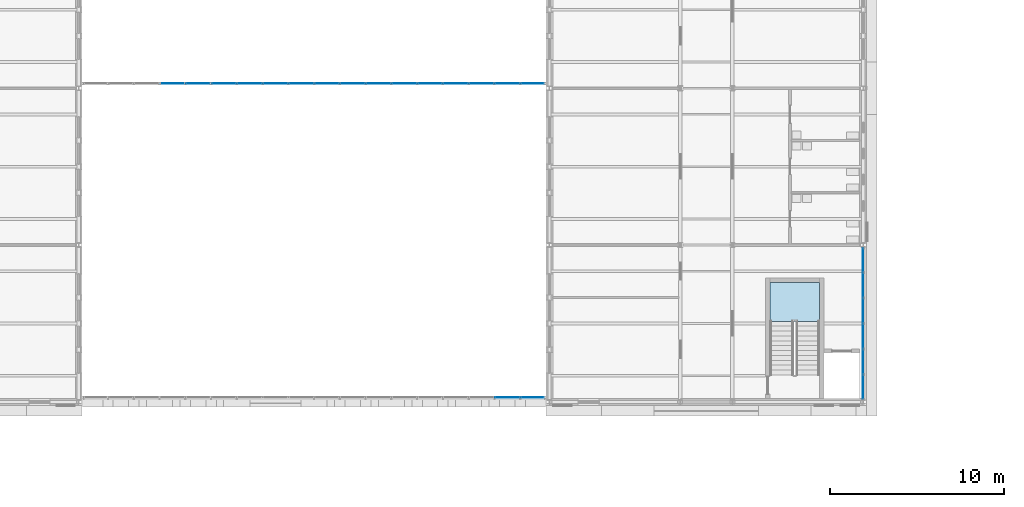
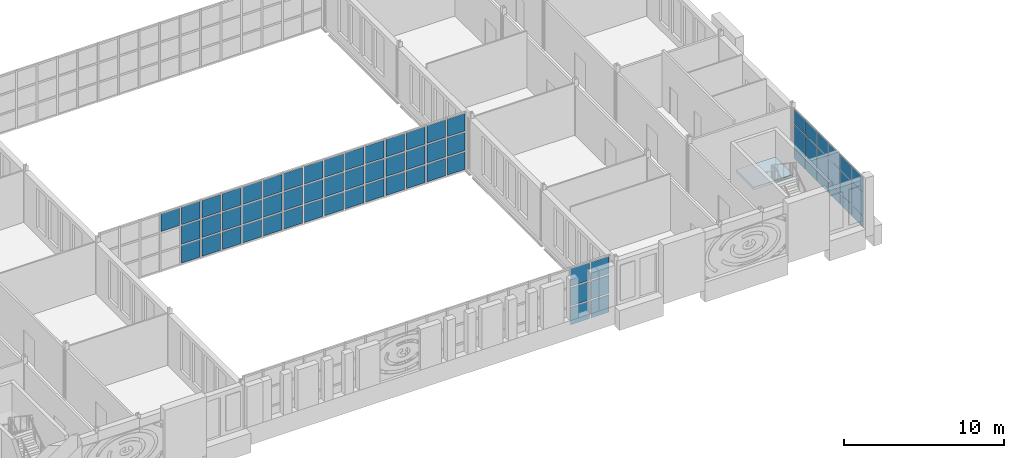
# One storey, part 62 of 131: 67 plates, 1 slab, 4 elements without a shape of their own.
"""IFC4 building model written with IfcOpenShell, lengths in metres."""

from ifc_helpers import new_model, si_unit, direction, frame, origin, origin_2d, place, context, subcontext, project, spatial, polyline, rectangle, outline, extrude, material, layer, layer_set, type_object, element, aggregate, save


model = new_model("IFC4")

# Units and contexts
model_context = context("Model", 3, precision=1e-05, world=origin(), true_north=direction((0.0, 1.0)))
body_context = subcontext(model_context, "Body", "Model", "MODEL_VIEW")
ifc_project = project(units=[si_unit("LENGTHUNIT", "METRE"), si_unit("AREAUNIT", "SQUARE_METRE"), si_unit("VOLUMEUNIT", "CUBIC_METRE"), si_unit("PLANEANGLEUNIT", "RADIAN"), si_unit("MASSUNIT", "GRAM", prefix="KILO")], contexts=[model_context])

# Site, building, storey
site_placement = place(None, origin())
site = spatial("IfcSite", under=ifc_project, at=site_placement, CompositionType="ELEMENT")
building_placement = place(site_placement, origin())
building = spatial("IfcBuilding", under=site, at=building_placement, Name="Golden Quay Civic Hall", CompositionType="ELEMENT")
storey_placement = place(building_placement, frame((0.0, 0.0, 9.89990234375)))
storey = spatial("IfcBuildingStorey", under=building, at=storey_placement, Name="L02", CompositionType="ELEMENT", Elevation=9.89990234375)

# Stair, slab
ifc_material_1 = material(Name="Concrete C35/45", Category="concrete")
stair_type = type_object("IfcStairType", Name="Concrete stair 1350 wide 24 risers of 187.5", PredefinedType="HALF_TURN_STAIR", material=ifc_material_1)
stair_placement = place(storey_placement, origin())
stair = element("IfcStair", 1, at=stair_placement, inside=storey, type_object=stair_type, Name="L02 Stair EM-S", PredefinedType="HALF_TURN_STAIR")
ifc_material_2 = material(Name="Concrete C35/45", Category="concrete")
ifc_layer_1 = layer(ifc_material_2, 0.199951171875)
ifc_layer_set_1 = layer_set([ifc_layer_1], Name="Concrete stair landing 200, Concrete C35/45")
slab_type = type_object("IfcSlabType", Name="Concrete stair landing 200", PredefinedType="LANDING", material=ifc_layer_set_1)
slab_placement = place(storey_placement, frame((0.0, 0.0, 2.050048828125)))
slab = element("IfcSlab", 2, at=slab_placement, type_object=slab_type, Name="EM-S landing 1", PredefinedType="LANDING", context=body_context, shape_type="SweptSolid", body=[
    extrude(outline(polyline([(114.5, 4.6298828125), (114.5, 6.85009765625), (111.64990234375, 6.85009765625), (111.64990234375, 4.6298828125), (114.5, 4.6298828125)])), origin(), (0.0, 0.0, 1.0), 0.199951171875),
])
aggregate(stair, [slab])

# Curtain wall, plates
ifc_material_3 = material(Name="Glass, laminated double glazed", Category="glass")
ifc_layer_2 = layer(ifc_material_3, 0.199951171875)
ifc_layer_set_2 = layer_set([ifc_layer_2], Name="Glazed core strip curtain wall")
curtain_wall_type_1 = type_object("IfcCurtainWallType", Name="Glazed core strip curtain wall", PredefinedType="NOTDEFINED", material=ifc_layer_set_2)
curtain_wall_1_placement = place(storey_placement, origin())
curtain_wall_1 = element("IfcCurtainWall", 3, at=curtain_wall_1_placement, inside=storey, type_object=curtain_wall_type_1, Name="Glazed core strip curtain wall L02 4", PredefinedType="NOTDEFINED")
ifc_material_4 = material(Name="Glass, laminated double glazed", Category="glass")
ifc_layer_3 = layer(ifc_material_4, 0.028076171875)
ifc_layer_set_3 = layer_set([ifc_layer_3], Name="Double glazed curtain wall panel 28")
plate_type_1 = type_object("IfcPlateType", Name="Double glazed curtain wall panel 28", PredefinedType="CURTAIN_PANEL", material=ifc_layer_set_3)
plate_1_placement = place(storey_placement, frame((117.0, 8.13916015625, 0.06005859375), z_axis=(0.0, 0.0, 1.0), x_axis=(0.0, -1.0, 0.0)))
plate_1 = element("IfcPlate", 4, at=plate_1_placement, type_object=plate_type_1, Name="CW2 panel 1.1", PredefinedType="CURTAIN_PANEL", context=body_context, shape_type="SweptSolid", body=[
    extrude(rectangle(XDim=1.37158203125, YDim=0.028076171875, at=origin_2d()), origin(), (0.0, 0.0, 1.0), 0.81005859375),
])
plate_2_placement = place(storey_placement, frame((117.0, 8.13916015625, 0.93017578125), z_axis=(0.0, 0.0, 1.0), x_axis=(0.0, -1.0, 0.0)))
plate_2 = element("IfcPlate", 5, at=plate_2_placement, type_object=plate_type_1, Name="CW2 panel 1.2", PredefinedType="CURTAIN_PANEL", context=body_context, shape_type="SweptSolid", body=[
    extrude(rectangle(XDim=1.37158203125, YDim=0.028076171875, at=origin_2d()), origin(), (0.0, 0.0, 1.0), 1.739990234375),
])
plate_3_placement = place(storey_placement, frame((117.0, 8.13916015625, 2.72998046875), z_axis=(0.0, 0.0, 1.0), x_axis=(0.0, -1.0, 0.0)))
plate_3 = element("IfcPlate", 6, at=plate_3_placement, type_object=plate_type_1, Name="CW2 panel 1.3", PredefinedType="CURTAIN_PANEL", context=body_context, shape_type="SweptSolid", body=[
    extrude(rectangle(XDim=1.37158203125, YDim=0.028076171875, at=origin_2d()), origin(), (0.0, 0.0, 1.0), 1.110107421875),
])
plate_4_placement = place(storey_placement, frame((117.0, 6.6923828125, 0.06005859375), z_axis=(0.0, 0.0, 1.0), x_axis=(0.0, -1.0, 0.0)))
plate_4 = element("IfcPlate", 7, at=plate_4_placement, type_object=plate_type_1, Name="CW2 panel 2.1", PredefinedType="CURTAIN_PANEL", context=body_context, shape_type="SweptSolid", body=[
    extrude(rectangle(XDim=1.401611328125, YDim=0.028076171875, at=origin_2d()), origin(), (0.0, 0.0, 1.0), 0.81005859375),
])
plate_5_placement = place(storey_placement, frame((117.0, 6.6923828125, 0.93017578125), z_axis=(0.0, 0.0, 1.0), x_axis=(0.0, -1.0, 0.0)))
plate_5 = element("IfcPlate", 8, at=plate_5_placement, type_object=plate_type_1, Name="CW2 panel 2.2", PredefinedType="CURTAIN_PANEL", context=body_context, shape_type="SweptSolid", body=[
    extrude(rectangle(XDim=1.401611328125, YDim=0.028076171875, at=origin_2d()), origin(), (0.0, 0.0, 1.0), 1.739990234375),
])
plate_6_placement = place(storey_placement, frame((117.0, 6.6923828125, 2.72998046875), z_axis=(0.0, 0.0, 1.0), x_axis=(0.0, -1.0, 0.0)))
plate_6 = element("IfcPlate", 9, at=plate_6_placement, type_object=plate_type_1, Name="CW2 panel 2.3", PredefinedType="CURTAIN_PANEL", context=body_context, shape_type="SweptSolid", body=[
    extrude(rectangle(XDim=1.401611328125, YDim=0.028076171875, at=origin_2d()), origin(), (0.0, 0.0, 1.0), 1.110107421875),
])
plate_7_placement = place(storey_placement, frame((117.0, 5.230712890625, 0.06005859375), z_axis=(0.0, 0.0, 1.0), x_axis=(0.0, -1.0, 0.0)))
plate_7 = element("IfcPlate", 10, at=plate_7_placement, type_object=plate_type_1, Name="CW2 panel 3.1", PredefinedType="CURTAIN_PANEL", context=body_context, shape_type="SweptSolid", body=[
    extrude(rectangle(XDim=1.401611328125, YDim=0.028076171875, at=origin_2d()), origin(), (0.0, 0.0, 1.0), 0.81005859375),
])
plate_8_placement = place(storey_placement, frame((117.0, 5.230712890625, 0.93017578125), z_axis=(0.0, 0.0, 1.0), x_axis=(0.0, -1.0, 0.0)))
plate_8 = element("IfcPlate", 11, at=plate_8_placement, type_object=plate_type_1, Name="CW2 panel 3.2", PredefinedType="CURTAIN_PANEL", context=body_context, shape_type="SweptSolid", body=[
    extrude(rectangle(XDim=1.401611328125, YDim=0.028076171875, at=origin_2d()), origin(), (0.0, 0.0, 1.0), 1.739990234375),
])
plate_9_placement = place(storey_placement, frame((117.0, 5.230712890625, 2.72998046875), z_axis=(0.0, 0.0, 1.0), x_axis=(0.0, -1.0, 0.0)))
plate_9 = element("IfcPlate", 12, at=plate_9_placement, type_object=plate_type_1, Name="CW2 panel 3.3", PredefinedType="CURTAIN_PANEL", context=body_context, shape_type="SweptSolid", body=[
    extrude(rectangle(XDim=1.401611328125, YDim=0.028076171875, at=origin_2d()), origin(), (0.0, 0.0, 1.0), 1.110107421875),
])
plate_10_placement = place(storey_placement, frame((117.0, 3.769287109375, 0.06005859375), z_axis=(0.0, 0.0, 1.0), x_axis=(0.0, -1.0, 0.0)))
plate_10 = element("IfcPlate", 13, at=plate_10_placement, type_object=plate_type_1, Name="CW2 panel 4.1", PredefinedType="CURTAIN_PANEL", context=body_context, shape_type="SweptSolid", body=[
    extrude(rectangle(XDim=1.401611328125, YDim=0.028076171875, at=origin_2d()), origin(), (0.0, 0.0, 1.0), 0.81005859375),
])
plate_11_placement = place(storey_placement, frame((117.0, 3.769287109375, 0.93017578125), z_axis=(0.0, 0.0, 1.0), x_axis=(0.0, -1.0, 0.0)))
plate_11 = element("IfcPlate", 14, at=plate_11_placement, type_object=plate_type_1, Name="CW2 panel 4.2", PredefinedType="CURTAIN_PANEL", context=body_context, shape_type="SweptSolid", body=[
    extrude(rectangle(XDim=1.401611328125, YDim=0.028076171875, at=origin_2d()), origin(), (0.0, 0.0, 1.0), 1.739990234375),
])
plate_12_placement = place(storey_placement, frame((117.0, 3.769287109375, 2.72998046875), z_axis=(0.0, 0.0, 1.0), x_axis=(0.0, -1.0, 0.0)))
plate_12 = element("IfcPlate", 15, at=plate_12_placement, type_object=plate_type_1, Name="CW2 panel 4.3", PredefinedType="CURTAIN_PANEL", context=body_context, shape_type="SweptSolid", body=[
    extrude(rectangle(XDim=1.401611328125, YDim=0.028076171875, at=origin_2d()), origin(), (0.0, 0.0, 1.0), 1.110107421875),
])
plate_13_placement = place(storey_placement, frame((117.0, 2.3076171875, 0.06005859375), z_axis=(0.0, 0.0, 1.0), x_axis=(0.0, -1.0, 0.0)))
plate_13 = element("IfcPlate", 16, at=plate_13_placement, type_object=plate_type_1, Name="CW2 panel 5.1", PredefinedType="CURTAIN_PANEL", context=body_context, shape_type="SweptSolid", body=[
    extrude(rectangle(XDim=1.401611328125, YDim=0.028076171875, at=origin_2d()), origin(), (0.0, 0.0, 1.0), 0.81005859375),
])
plate_14_placement = place(storey_placement, frame((117.0, 2.3076171875, 0.93017578125), z_axis=(0.0, 0.0, 1.0), x_axis=(0.0, -1.0, 0.0)))
plate_14 = element("IfcPlate", 17, at=plate_14_placement, type_object=plate_type_1, Name="CW2 panel 5.2", PredefinedType="CURTAIN_PANEL", context=body_context, shape_type="SweptSolid", body=[
    extrude(rectangle(XDim=1.401611328125, YDim=0.028076171875, at=origin_2d()), origin(), (0.0, 0.0, 1.0), 1.739990234375),
])
plate_15_placement = place(storey_placement, frame((117.0, 2.3076171875, 2.72998046875), z_axis=(0.0, 0.0, 1.0), x_axis=(0.0, -1.0, 0.0)))
plate_15 = element("IfcPlate", 18, at=plate_15_placement, type_object=plate_type_1, Name="CW2 panel 5.3", PredefinedType="CURTAIN_PANEL", context=body_context, shape_type="SweptSolid", body=[
    extrude(rectangle(XDim=1.401611328125, YDim=0.028076171875, at=origin_2d()), origin(), (0.0, 0.0, 1.0), 1.110107421875),
])
plate_16_placement = place(storey_placement, frame((117.0, 0.86083984375, 0.06005859375), z_axis=(0.0, 0.0, 1.0), x_axis=(0.0, -1.0, 0.0)))
plate_16 = element("IfcPlate", 19, at=plate_16_placement, type_object=plate_type_1, Name="CW2 panel 6.1", PredefinedType="CURTAIN_PANEL", context=body_context, shape_type="SweptSolid", body=[
    extrude(rectangle(XDim=1.37158203125, YDim=0.028076171875, at=origin_2d()), origin(), (0.0, 0.0, 1.0), 0.81005859375),
])
plate_17_placement = place(storey_placement, frame((117.0, 0.86083984375, 0.93017578125), z_axis=(0.0, 0.0, 1.0), x_axis=(0.0, -1.0, 0.0)))
plate_17 = element("IfcPlate", 20, at=plate_17_placement, type_object=plate_type_1, Name="CW2 panel 6.2", PredefinedType="CURTAIN_PANEL", context=body_context, shape_type="SweptSolid", body=[
    extrude(rectangle(XDim=1.37158203125, YDim=0.028076171875, at=origin_2d()), origin(), (0.0, 0.0, 1.0), 1.739990234375),
])
plate_18_placement = place(storey_placement, frame((117.0, 0.86083984375, 2.72998046875), z_axis=(0.0, 0.0, 1.0), x_axis=(0.0, -1.0, 0.0)))
plate_18 = element("IfcPlate", 21, at=plate_18_placement, type_object=plate_type_1, Name="CW2 panel 6.3", PredefinedType="CURTAIN_PANEL", context=body_context, shape_type="SweptSolid", body=[
    extrude(rectangle(XDim=1.37158203125, YDim=0.028076171875, at=origin_2d()), origin(), (0.0, 0.0, 1.0), 1.110107421875),
])
aggregate(curtain_wall_1, [plate_1, plate_2, plate_3, plate_4, plate_5, plate_6, plate_7, plate_8, plate_9, plate_10, plate_11, plate_12, plate_13, plate_14, plate_15, plate_16, plate_17, plate_18])

ifc_material_5 = material(Name="Fire-resisting glass and steel", Category="steel")
curtain_wall_type_2 = type_object("IfcCurtainWallType", Name="Fire-resisting glazed curtain wall EI 120", PredefinedType="NOTDEFINED", material=ifc_material_5)
curtain_wall_2_placement = place(storey_placement, origin())
curtain_wall_2 = element("IfcCurtainWall", 22, at=curtain_wall_2_placement, inside=storey, type_object=curtain_wall_type_2, Name="CW3 curtain wall", PredefinedType="NOTDEFINED")
ifc_material_6 = material(Name="Fire-resisting laminated glass", Category="glass")
ifc_layer_4 = layer(ifc_material_6, 0.0400390625)
ifc_layer_set_4 = layer_set([ifc_layer_4], Name="Fire-resisting glazed panel 40")
plate_type_2 = type_object("IfcPlateType", Name="Fire-resisting glazed panel 40", PredefinedType="CURTAIN_PANEL", material=ifc_layer_set_4)
plate_19_placement = place(storey_placement, frame((77.372314453125, 18.27001953125, 2.85986328125), z_axis=(0.0, 0.0, 1.0), x_axis=(1.0, 0.0, 0.0)))
plate_19 = element("IfcPlate", 23, at=plate_19_placement, type_object=plate_type_2, Name="CW3 panel 4.3", PredefinedType="CURTAIN_PANEL", context=body_context, shape_type="SweptSolid", body=[
    extrude(rectangle(XDim=1.357666015625, YDim=0.0400390625, at=origin_2d()), origin(), (0.0, 0.0, 1.0), 1.320068359375),
])
plate_20_placement = place(storey_placement, frame((78.85009765625, 18.27001953125, -0.080078125), z_axis=(0.0, 0.0, 1.0), x_axis=(1.0, 0.0, 0.0)))
plate_20 = element("IfcPlate", 24, at=plate_20_placement, type_object=plate_type_2, Name="CW3 panel 5.1", PredefinedType="CURTAIN_PANEL", context=body_context, shape_type="SweptSolid", body=[
    extrude(rectangle(XDim=1.357666015625, YDim=0.0400390625, at=origin_2d()), origin(), (0.0, 0.0, 1.0), 1.320068359375),
])
plate_21_placement = place(storey_placement, frame((78.85009765625, 18.27001953125, 1.360107421875), z_axis=(0.0, 0.0, 1.0), x_axis=(1.0, 0.0, 0.0)))
plate_21 = element("IfcPlate", 25, at=plate_21_placement, type_object=plate_type_2, Name="CW3 panel 5.2", PredefinedType="CURTAIN_PANEL", context=body_context, shape_type="SweptSolid", body=[
    extrude(rectangle(XDim=1.357666015625, YDim=0.0400390625, at=origin_2d()), origin(), (0.0, 0.0, 1.0), 1.3798828125),
])
plate_22_placement = place(storey_placement, frame((78.85009765625, 18.27001953125, 2.85986328125), z_axis=(0.0, 0.0, 1.0), x_axis=(1.0, 0.0, 0.0)))
plate_22 = element("IfcPlate", 26, at=plate_22_placement, type_object=plate_type_2, Name="CW3 panel 5.3", PredefinedType="CURTAIN_PANEL", context=body_context, shape_type="SweptSolid", body=[
    extrude(rectangle(XDim=1.357666015625, YDim=0.0400390625, at=origin_2d()), origin(), (0.0, 0.0, 1.0), 1.320068359375),
])
plate_23_placement = place(storey_placement, frame((80.327880859375, 18.27001953125, -0.080078125), z_axis=(0.0, 0.0, 1.0), x_axis=(1.0, 0.0, 0.0)))
plate_23 = element("IfcPlate", 27, at=plate_23_placement, type_object=plate_type_2, Name="CW3 panel 6.1", PredefinedType="CURTAIN_PANEL", context=body_context, shape_type="SweptSolid", body=[
    extrude(rectangle(XDim=1.357666015625, YDim=0.0400390625, at=origin_2d()), origin(), (0.0, 0.0, 1.0), 1.320068359375),
])
plate_24_placement = place(storey_placement, frame((80.327880859375, 18.27001953125, 1.360107421875), z_axis=(0.0, 0.0, 1.0), x_axis=(1.0, 0.0, 0.0)))
plate_24 = element("IfcPlate", 28, at=plate_24_placement, type_object=plate_type_2, Name="CW3 panel 6.2", PredefinedType="CURTAIN_PANEL", context=body_context, shape_type="SweptSolid", body=[
    extrude(rectangle(XDim=1.357666015625, YDim=0.0400390625, at=origin_2d()), origin(), (0.0, 0.0, 1.0), 1.3798828125),
])
plate_25_placement = place(storey_placement, frame((80.327880859375, 18.27001953125, 2.85986328125), z_axis=(0.0, 0.0, 1.0), x_axis=(1.0, 0.0, 0.0)))
plate_25 = element("IfcPlate", 29, at=plate_25_placement, type_object=plate_type_2, Name="CW3 panel 6.3", PredefinedType="CURTAIN_PANEL", context=body_context, shape_type="SweptSolid", body=[
    extrude(rectangle(XDim=1.357666015625, YDim=0.0400390625, at=origin_2d()), origin(), (0.0, 0.0, 1.0), 1.320068359375),
])
plate_26_placement = place(storey_placement, frame((81.8056640625, 18.27001953125, -0.080078125), z_axis=(0.0, 0.0, 1.0), x_axis=(1.0, 0.0, 0.0)))
plate_26 = element("IfcPlate", 30, at=plate_26_placement, type_object=plate_type_2, Name="CW3 panel 7.1", PredefinedType="CURTAIN_PANEL", context=body_context, shape_type="SweptSolid", body=[
    extrude(rectangle(XDim=1.357666015625, YDim=0.0400390625, at=origin_2d()), origin(), (0.0, 0.0, 1.0), 1.320068359375),
])
plate_27_placement = place(storey_placement, frame((81.8056640625, 18.27001953125, 1.360107421875), z_axis=(0.0, 0.0, 1.0), x_axis=(1.0, 0.0, 0.0)))
plate_27 = element("IfcPlate", 31, at=plate_27_placement, type_object=plate_type_2, Name="CW3 panel 7.2", PredefinedType="CURTAIN_PANEL", context=body_context, shape_type="SweptSolid", body=[
    extrude(rectangle(XDim=1.357666015625, YDim=0.0400390625, at=origin_2d()), origin(), (0.0, 0.0, 1.0), 1.3798828125),
])
plate_28_placement = place(storey_placement, frame((81.8056640625, 18.27001953125, 2.85986328125), z_axis=(0.0, 0.0, 1.0), x_axis=(1.0, 0.0, 0.0)))
plate_28 = element("IfcPlate", 32, at=plate_28_placement, type_object=plate_type_2, Name="CW3 panel 7.3", PredefinedType="CURTAIN_PANEL", context=body_context, shape_type="SweptSolid", body=[
    extrude(rectangle(XDim=1.357666015625, YDim=0.0400390625, at=origin_2d()), origin(), (0.0, 0.0, 1.0), 1.320068359375),
])
plate_29_placement = place(storey_placement, frame((83.283447265625, 18.27001953125, -0.080078125), z_axis=(0.0, 0.0, 1.0), x_axis=(1.0, 0.0, 0.0)))
plate_29 = element("IfcPlate", 33, at=plate_29_placement, type_object=plate_type_2, Name="CW3 panel 8.1", PredefinedType="CURTAIN_PANEL", context=body_context, shape_type="SweptSolid", body=[
    extrude(rectangle(XDim=1.357666015625, YDim=0.0400390625, at=origin_2d()), origin(), (0.0, 0.0, 1.0), 1.320068359375),
])
plate_30_placement = place(storey_placement, frame((83.283447265625, 18.27001953125, 1.360107421875), z_axis=(0.0, 0.0, 1.0), x_axis=(1.0, 0.0, 0.0)))
plate_30 = element("IfcPlate", 34, at=plate_30_placement, type_object=plate_type_2, Name="CW3 panel 8.2", PredefinedType="CURTAIN_PANEL", context=body_context, shape_type="SweptSolid", body=[
    extrude(rectangle(XDim=1.357666015625, YDim=0.0400390625, at=origin_2d()), origin(), (0.0, 0.0, 1.0), 1.3798828125),
])
plate_31_placement = place(storey_placement, frame((83.283447265625, 18.27001953125, 2.85986328125), z_axis=(0.0, 0.0, 1.0), x_axis=(1.0, 0.0, 0.0)))
plate_31 = element("IfcPlate", 35, at=plate_31_placement, type_object=plate_type_2, Name="CW3 panel 8.3", PredefinedType="CURTAIN_PANEL", context=body_context, shape_type="SweptSolid", body=[
    extrude(rectangle(XDim=1.357666015625, YDim=0.0400390625, at=origin_2d()), origin(), (0.0, 0.0, 1.0), 1.320068359375),
])
plate_32_placement = place(storey_placement, frame((84.76123046875, 18.27001953125, -0.080078125), z_axis=(0.0, 0.0, 1.0), x_axis=(1.0, 0.0, 0.0)))
plate_32 = element("IfcPlate", 36, at=plate_32_placement, type_object=plate_type_2, Name="CW3 panel 9.1", PredefinedType="CURTAIN_PANEL", context=body_context, shape_type="SweptSolid", body=[
    extrude(rectangle(XDim=1.357666015625, YDim=0.0400390625, at=origin_2d()), origin(), (0.0, 0.0, 1.0), 1.320068359375),
])
plate_33_placement = place(storey_placement, frame((84.76123046875, 18.27001953125, 1.360107421875), z_axis=(0.0, 0.0, 1.0), x_axis=(1.0, 0.0, 0.0)))
plate_33 = element("IfcPlate", 37, at=plate_33_placement, type_object=plate_type_2, Name="CW3 panel 9.2", PredefinedType="CURTAIN_PANEL", context=body_context, shape_type="SweptSolid", body=[
    extrude(rectangle(XDim=1.357666015625, YDim=0.0400390625, at=origin_2d()), origin(), (0.0, 0.0, 1.0), 1.3798828125),
])
plate_34_placement = place(storey_placement, frame((84.76123046875, 18.27001953125, 2.85986328125), z_axis=(0.0, 0.0, 1.0), x_axis=(1.0, 0.0, 0.0)))
plate_34 = element("IfcPlate", 38, at=plate_34_placement, type_object=plate_type_2, Name="CW3 panel 9.3", PredefinedType="CURTAIN_PANEL", context=body_context, shape_type="SweptSolid", body=[
    extrude(rectangle(XDim=1.357666015625, YDim=0.0400390625, at=origin_2d()), origin(), (0.0, 0.0, 1.0), 1.320068359375),
])
plate_35_placement = place(storey_placement, frame((86.23876953125, 18.27001953125, -0.080078125), z_axis=(0.0, 0.0, 1.0), x_axis=(1.0, 0.0, 0.0)))
plate_35 = element("IfcPlate", 39, at=plate_35_placement, type_object=plate_type_2, Name="CW3 panel 10.1", PredefinedType="CURTAIN_PANEL", context=body_context, shape_type="SweptSolid", body=[
    extrude(rectangle(XDim=1.357666015625, YDim=0.0400390625, at=origin_2d()), origin(), (0.0, 0.0, 1.0), 1.320068359375),
])
plate_36_placement = place(storey_placement, frame((86.23876953125, 18.27001953125, 1.360107421875), z_axis=(0.0, 0.0, 1.0), x_axis=(1.0, 0.0, 0.0)))
plate_36 = element("IfcPlate", 40, at=plate_36_placement, type_object=plate_type_2, Name="CW3 panel 10.2", PredefinedType="CURTAIN_PANEL", context=body_context, shape_type="SweptSolid", body=[
    extrude(rectangle(XDim=1.357666015625, YDim=0.0400390625, at=origin_2d()), origin(), (0.0, 0.0, 1.0), 1.3798828125),
])
plate_37_placement = place(storey_placement, frame((86.23876953125, 18.27001953125, 2.85986328125), z_axis=(0.0, 0.0, 1.0), x_axis=(1.0, 0.0, 0.0)))
plate_37 = element("IfcPlate", 41, at=plate_37_placement, type_object=plate_type_2, Name="CW3 panel 10.3", PredefinedType="CURTAIN_PANEL", context=body_context, shape_type="SweptSolid", body=[
    extrude(rectangle(XDim=1.357666015625, YDim=0.0400390625, at=origin_2d()), origin(), (0.0, 0.0, 1.0), 1.320068359375),
])
plate_38_placement = place(storey_placement, frame((87.716552734375, 18.27001953125, -0.080078125), z_axis=(0.0, 0.0, 1.0), x_axis=(1.0, 0.0, 0.0)))
plate_38 = element("IfcPlate", 42, at=plate_38_placement, type_object=plate_type_2, Name="CW3 panel 11.1", PredefinedType="CURTAIN_PANEL", context=body_context, shape_type="SweptSolid", body=[
    extrude(rectangle(XDim=1.357666015625, YDim=0.0400390625, at=origin_2d()), origin(), (0.0, 0.0, 1.0), 1.320068359375),
])
plate_39_placement = place(storey_placement, frame((87.716552734375, 18.27001953125, 1.360107421875), z_axis=(0.0, 0.0, 1.0), x_axis=(1.0, 0.0, 0.0)))
plate_39 = element("IfcPlate", 43, at=plate_39_placement, type_object=plate_type_2, Name="CW3 panel 11.2", PredefinedType="CURTAIN_PANEL", context=body_context, shape_type="SweptSolid", body=[
    extrude(rectangle(XDim=1.357666015625, YDim=0.0400390625, at=origin_2d()), origin(), (0.0, 0.0, 1.0), 1.3798828125),
])
plate_40_placement = place(storey_placement, frame((87.716552734375, 18.27001953125, 2.85986328125), z_axis=(0.0, 0.0, 1.0), x_axis=(1.0, 0.0, 0.0)))
plate_40 = element("IfcPlate", 44, at=plate_40_placement, type_object=plate_type_2, Name="CW3 panel 11.3", PredefinedType="CURTAIN_PANEL", context=body_context, shape_type="SweptSolid", body=[
    extrude(rectangle(XDim=1.357666015625, YDim=0.0400390625, at=origin_2d()), origin(), (0.0, 0.0, 1.0), 1.320068359375),
])
plate_41_placement = place(storey_placement, frame((89.1943359375, 18.27001953125, -0.080078125), z_axis=(0.0, 0.0, 1.0), x_axis=(1.0, 0.0, 0.0)))
plate_41 = element("IfcPlate", 45, at=plate_41_placement, type_object=plate_type_2, Name="CW3 panel 12.1", PredefinedType="CURTAIN_PANEL", context=body_context, shape_type="SweptSolid", body=[
    extrude(rectangle(XDim=1.357666015625, YDim=0.0400390625, at=origin_2d()), origin(), (0.0, 0.0, 1.0), 1.320068359375),
])
plate_42_placement = place(storey_placement, frame((89.1943359375, 18.27001953125, 1.360107421875), z_axis=(0.0, 0.0, 1.0), x_axis=(1.0, 0.0, 0.0)))
plate_42 = element("IfcPlate", 46, at=plate_42_placement, type_object=plate_type_2, Name="CW3 panel 12.2", PredefinedType="CURTAIN_PANEL", context=body_context, shape_type="SweptSolid", body=[
    extrude(rectangle(XDim=1.357666015625, YDim=0.0400390625, at=origin_2d()), origin(), (0.0, 0.0, 1.0), 1.3798828125),
])
plate_43_placement = place(storey_placement, frame((89.1943359375, 18.27001953125, 2.85986328125), z_axis=(0.0, 0.0, 1.0), x_axis=(1.0, 0.0, 0.0)))
plate_43 = element("IfcPlate", 47, at=plate_43_placement, type_object=plate_type_2, Name="CW3 panel 12.3", PredefinedType="CURTAIN_PANEL", context=body_context, shape_type="SweptSolid", body=[
    extrude(rectangle(XDim=1.357666015625, YDim=0.0400390625, at=origin_2d()), origin(), (0.0, 0.0, 1.0), 1.320068359375),
])
plate_44_placement = place(storey_placement, frame((90.672119140625, 18.27001953125, -0.080078125), z_axis=(0.0, 0.0, 1.0), x_axis=(1.0, 0.0, 0.0)))
plate_44 = element("IfcPlate", 48, at=plate_44_placement, type_object=plate_type_2, Name="CW3 panel 13.1", PredefinedType="CURTAIN_PANEL", context=body_context, shape_type="SweptSolid", body=[
    extrude(rectangle(XDim=1.357666015625, YDim=0.0400390625, at=origin_2d()), origin(), (0.0, 0.0, 1.0), 1.320068359375),
])
plate_45_placement = place(storey_placement, frame((90.672119140625, 18.27001953125, 1.360107421875), z_axis=(0.0, 0.0, 1.0), x_axis=(1.0, 0.0, 0.0)))
plate_45 = element("IfcPlate", 49, at=plate_45_placement, type_object=plate_type_2, Name="CW3 panel 13.2", PredefinedType="CURTAIN_PANEL", context=body_context, shape_type="SweptSolid", body=[
    extrude(rectangle(XDim=1.357666015625, YDim=0.0400390625, at=origin_2d()), origin(), (0.0, 0.0, 1.0), 1.3798828125),
])
plate_46_placement = place(storey_placement, frame((90.672119140625, 18.27001953125, 2.85986328125), z_axis=(0.0, 0.0, 1.0), x_axis=(1.0, 0.0, 0.0)))
plate_46 = element("IfcPlate", 50, at=plate_46_placement, type_object=plate_type_2, Name="CW3 panel 13.3", PredefinedType="CURTAIN_PANEL", context=body_context, shape_type="SweptSolid", body=[
    extrude(rectangle(XDim=1.357666015625, YDim=0.0400390625, at=origin_2d()), origin(), (0.0, 0.0, 1.0), 1.320068359375),
])
plate_47_placement = place(storey_placement, frame((92.14990234375, 18.27001953125, -0.080078125), z_axis=(0.0, 0.0, 1.0), x_axis=(1.0, 0.0, 0.0)))
plate_47 = element("IfcPlate", 51, at=plate_47_placement, type_object=plate_type_2, Name="CW3 panel 14.1", PredefinedType="CURTAIN_PANEL", context=body_context, shape_type="SweptSolid", body=[
    extrude(rectangle(XDim=1.357666015625, YDim=0.0400390625, at=origin_2d()), origin(), (0.0, 0.0, 1.0), 1.320068359375),
])
plate_48_placement = place(storey_placement, frame((92.14990234375, 18.27001953125, 1.360107421875), z_axis=(0.0, 0.0, 1.0), x_axis=(1.0, 0.0, 0.0)))
plate_48 = element("IfcPlate", 52, at=plate_48_placement, type_object=plate_type_2, Name="CW3 panel 14.2", PredefinedType="CURTAIN_PANEL", context=body_context, shape_type="SweptSolid", body=[
    extrude(rectangle(XDim=1.357666015625, YDim=0.0400390625, at=origin_2d()), origin(), (0.0, 0.0, 1.0), 1.3798828125),
])
plate_49_placement = place(storey_placement, frame((92.14990234375, 18.27001953125, 2.85986328125), z_axis=(0.0, 0.0, 1.0), x_axis=(1.0, 0.0, 0.0)))
plate_49 = element("IfcPlate", 53, at=plate_49_placement, type_object=plate_type_2, Name="CW3 panel 14.3", PredefinedType="CURTAIN_PANEL", context=body_context, shape_type="SweptSolid", body=[
    extrude(rectangle(XDim=1.357666015625, YDim=0.0400390625, at=origin_2d()), origin(), (0.0, 0.0, 1.0), 1.320068359375),
])
plate_50_placement = place(storey_placement, frame((93.627685546875, 18.27001953125, -0.080078125), z_axis=(0.0, 0.0, 1.0), x_axis=(1.0, 0.0, 0.0)))
plate_50 = element("IfcPlate", 54, at=plate_50_placement, type_object=plate_type_2, Name="CW3 panel 15.1", PredefinedType="CURTAIN_PANEL", context=body_context, shape_type="SweptSolid", body=[
    extrude(rectangle(XDim=1.357666015625, YDim=0.0400390625, at=origin_2d()), origin(), (0.0, 0.0, 1.0), 1.320068359375),
])
plate_51_placement = place(storey_placement, frame((93.627685546875, 18.27001953125, 1.360107421875), z_axis=(0.0, 0.0, 1.0), x_axis=(1.0, 0.0, 0.0)))
plate_51 = element("IfcPlate", 55, at=plate_51_placement, type_object=plate_type_2, Name="CW3 panel 15.2", PredefinedType="CURTAIN_PANEL", context=body_context, shape_type="SweptSolid", body=[
    extrude(rectangle(XDim=1.357666015625, YDim=0.0400390625, at=origin_2d()), origin(), (0.0, 0.0, 1.0), 1.3798828125),
])
plate_52_placement = place(storey_placement, frame((93.627685546875, 18.27001953125, 2.85986328125), z_axis=(0.0, 0.0, 1.0), x_axis=(1.0, 0.0, 0.0)))
plate_52 = element("IfcPlate", 56, at=plate_52_placement, type_object=plate_type_2, Name="CW3 panel 15.3", PredefinedType="CURTAIN_PANEL", context=body_context, shape_type="SweptSolid", body=[
    extrude(rectangle(XDim=1.357666015625, YDim=0.0400390625, at=origin_2d()), origin(), (0.0, 0.0, 1.0), 1.320068359375),
])
plate_53_placement = place(storey_placement, frame((95.10546875, 18.27001953125, -0.080078125), z_axis=(0.0, 0.0, 1.0), x_axis=(1.0, 0.0, 0.0)))
plate_53 = element("IfcPlate", 57, at=plate_53_placement, type_object=plate_type_2, Name="CW3 panel 16.1", PredefinedType="CURTAIN_PANEL", context=body_context, shape_type="SweptSolid", body=[
    extrude(rectangle(XDim=1.357666015625, YDim=0.0400390625, at=origin_2d()), origin(), (0.0, 0.0, 1.0), 1.320068359375),
])
plate_54_placement = place(storey_placement, frame((95.10546875, 18.27001953125, 1.360107421875), z_axis=(0.0, 0.0, 1.0), x_axis=(1.0, 0.0, 0.0)))
plate_54 = element("IfcPlate", 58, at=plate_54_placement, type_object=plate_type_2, Name="CW3 panel 16.2", PredefinedType="CURTAIN_PANEL", context=body_context, shape_type="SweptSolid", body=[
    extrude(rectangle(XDim=1.357666015625, YDim=0.0400390625, at=origin_2d()), origin(), (0.0, 0.0, 1.0), 1.3798828125),
])
plate_55_placement = place(storey_placement, frame((95.10546875, 18.27001953125, 2.85986328125), z_axis=(0.0, 0.0, 1.0), x_axis=(1.0, 0.0, 0.0)))
plate_55 = element("IfcPlate", 59, at=plate_55_placement, type_object=plate_type_2, Name="CW3 panel 16.3", PredefinedType="CURTAIN_PANEL", context=body_context, shape_type="SweptSolid", body=[
    extrude(rectangle(XDim=1.357666015625, YDim=0.0400390625, at=origin_2d()), origin(), (0.0, 0.0, 1.0), 1.320068359375),
])
plate_56_placement = place(storey_placement, frame((96.583251953125, 18.27001953125, -0.080078125), z_axis=(0.0, 0.0, 1.0), x_axis=(1.0, 0.0, 0.0)))
plate_56 = element("IfcPlate", 60, at=plate_56_placement, type_object=plate_type_2, Name="CW3 panel 17.1", PredefinedType="CURTAIN_PANEL", context=body_context, shape_type="SweptSolid", body=[
    extrude(rectangle(XDim=1.357666015625, YDim=0.0400390625, at=origin_2d()), origin(), (0.0, 0.0, 1.0), 1.320068359375),
])
plate_57_placement = place(storey_placement, frame((96.583251953125, 18.27001953125, 1.360107421875), z_axis=(0.0, 0.0, 1.0), x_axis=(1.0, 0.0, 0.0)))
plate_57 = element("IfcPlate", 61, at=plate_57_placement, type_object=plate_type_2, Name="CW3 panel 17.2", PredefinedType="CURTAIN_PANEL", context=body_context, shape_type="SweptSolid", body=[
    extrude(rectangle(XDim=1.357666015625, YDim=0.0400390625, at=origin_2d()), origin(), (0.0, 0.0, 1.0), 1.3798828125),
])
plate_58_placement = place(storey_placement, frame((96.583251953125, 18.27001953125, 2.85986328125), z_axis=(0.0, 0.0, 1.0), x_axis=(1.0, 0.0, 0.0)))
plate_58 = element("IfcPlate", 62, at=plate_58_placement, type_object=plate_type_2, Name="CW3 panel 17.3", PredefinedType="CURTAIN_PANEL", context=body_context, shape_type="SweptSolid", body=[
    extrude(rectangle(XDim=1.357666015625, YDim=0.0400390625, at=origin_2d()), origin(), (0.0, 0.0, 1.0), 1.320068359375),
])
plate_59_placement = place(storey_placement, frame((98.031005859375, 18.27001953125, -0.080078125), z_axis=(0.0, 0.0, 1.0), x_axis=(1.0, 0.0, 0.0)))
plate_59 = element("IfcPlate", 63, at=plate_59_placement, type_object=plate_type_2, Name="CW3 panel 18.1", PredefinedType="CURTAIN_PANEL", context=body_context, shape_type="SweptSolid", body=[
    extrude(rectangle(XDim=1.2978515625, YDim=0.0400390625, at=origin_2d()), origin(), (0.0, 0.0, 1.0), 1.320068359375),
])
plate_60_placement = place(storey_placement, frame((98.031005859375, 18.27001953125, 1.360107421875), z_axis=(0.0, 0.0, 1.0), x_axis=(1.0, 0.0, 0.0)))
plate_60 = element("IfcPlate", 64, at=plate_60_placement, type_object=plate_type_2, Name="CW3 panel 18.2", PredefinedType="CURTAIN_PANEL", context=body_context, shape_type="SweptSolid", body=[
    extrude(rectangle(XDim=1.2978515625, YDim=0.0400390625, at=origin_2d()), origin(), (0.0, 0.0, 1.0), 1.3798828125),
])
plate_61_placement = place(storey_placement, frame((98.031005859375, 18.27001953125, 2.85986328125), z_axis=(0.0, 0.0, 1.0), x_axis=(1.0, 0.0, 0.0)))
plate_61 = element("IfcPlate", 65, at=plate_61_placement, type_object=plate_type_2, Name="CW3 panel 18.3", PredefinedType="CURTAIN_PANEL", context=body_context, shape_type="SweptSolid", body=[
    extrude(rectangle(XDim=1.2978515625, YDim=0.0400390625, at=origin_2d()), origin(), (0.0, 0.0, 1.0), 1.320068359375),
])
aggregate(curtain_wall_2, [plate_19, plate_20, plate_21, plate_22, plate_23, plate_24, plate_25, plate_26, plate_27, plate_28, plate_29, plate_30, plate_31, plate_32, plate_33, plate_34, plate_35, plate_36, plate_37, plate_38, plate_39, plate_40, plate_41, plate_42, plate_43, plate_44, plate_45, plate_46, plate_47, plate_48, plate_49, plate_50, plate_51, plate_52, plate_53, plate_54, plate_55, plate_56, plate_57, plate_58, plate_59, plate_60, plate_61])

ifc_material_7 = material(Name="Glass and aluminium", Category="aluminium")
curtain_wall_type_3 = type_object("IfcCurtainWallType", Name="Glazed curtain wall 1500 module", PredefinedType="NOTDEFINED", material=ifc_material_7)
curtain_wall_3_placement = place(storey_placement, origin())
curtain_wall_3 = element("IfcCurtainWall", 66, at=curtain_wall_3_placement, inside=storey, type_object=curtain_wall_type_3, Name="CW1 curtain wall", PredefinedType="NOTDEFINED")
ifc_material_8 = material(Name="Laminated glass", Category="glass")
ifc_layer_5 = layer(ifc_material_8, 0.028076171875)
ifc_layer_set_5 = layer_set([ifc_layer_5], Name="Laminated glass panel 28")
plate_type_3 = type_object("IfcPlateType", Name="Laminated glass panel 28", PredefinedType="CURTAIN_PANEL", material=ifc_layer_set_5)
plate_62_placement = place(storey_placement, frame((96.583251953125, 0.27001953125, -0.080078125), z_axis=(0.0, 0.0, 1.0), x_axis=(1.0, 0.0, 0.0)))
plate_62 = element("IfcPlate", 67, at=plate_62_placement, type_object=plate_type_3, Name="CW1 panel 17.1", PredefinedType="CURTAIN_PANEL", context=body_context, shape_type="SweptSolid", body=[
    extrude(rectangle(XDim=1.357666015625, YDim=0.028076171875, at=origin_2d()), origin(), (0.0, 0.0, 1.0), 1.320068359375),
])
plate_63_placement = place(storey_placement, frame((96.583251953125, 0.27001953125, 1.360107421875), z_axis=(0.0, 0.0, 1.0), x_axis=(1.0, 0.0, 0.0)))
plate_63 = element("IfcPlate", 68, at=plate_63_placement, type_object=plate_type_3, Name="CW1 panel 17.2", PredefinedType="CURTAIN_PANEL", context=body_context, shape_type="SweptSolid", body=[
    extrude(rectangle(XDim=1.357666015625, YDim=0.028076171875, at=origin_2d()), origin(), (0.0, 0.0, 1.0), 1.3798828125),
])
plate_64_placement = place(storey_placement, frame((96.583251953125, 0.27001953125, 2.85986328125), z_axis=(0.0, 0.0, 1.0), x_axis=(1.0, 0.0, 0.0)))
plate_64 = element("IfcPlate", 69, at=plate_64_placement, type_object=plate_type_3, Name="CW1 panel 17.3", PredefinedType="CURTAIN_PANEL", context=body_context, shape_type="SweptSolid", body=[
    extrude(rectangle(XDim=1.357666015625, YDim=0.028076171875, at=origin_2d()), origin(), (0.0, 0.0, 1.0), 1.320068359375),
])
plate_65_placement = place(storey_placement, frame((98.031005859375, 0.27001953125, -0.080078125), z_axis=(0.0, 0.0, 1.0), x_axis=(1.0, 0.0, 0.0)))
plate_65 = element("IfcPlate", 70, at=plate_65_placement, type_object=plate_type_3, Name="CW1 panel 18.1", PredefinedType="CURTAIN_PANEL", context=body_context, shape_type="SweptSolid", body=[
    extrude(rectangle(XDim=1.2978515625, YDim=0.028076171875, at=origin_2d()), origin(), (0.0, 0.0, 1.0), 1.320068359375),
])
plate_66_placement = place(storey_placement, frame((98.031005859375, 0.27001953125, 1.360107421875), z_axis=(0.0, 0.0, 1.0), x_axis=(1.0, 0.0, 0.0)))
plate_66 = element("IfcPlate", 71, at=plate_66_placement, type_object=plate_type_3, Name="CW1 panel 18.2", PredefinedType="CURTAIN_PANEL", context=body_context, shape_type="SweptSolid", body=[
    extrude(rectangle(XDim=1.2978515625, YDim=0.028076171875, at=origin_2d()), origin(), (0.0, 0.0, 1.0), 1.3798828125),
])
plate_67_placement = place(storey_placement, frame((98.031005859375, 0.27001953125, 2.85986328125), z_axis=(0.0, 0.0, 1.0), x_axis=(1.0, 0.0, 0.0)))
plate_67 = element("IfcPlate", 72, at=plate_67_placement, type_object=plate_type_3, Name="CW1 panel 18.3", PredefinedType="CURTAIN_PANEL", context=body_context, shape_type="SweptSolid", body=[
    extrude(rectangle(XDim=1.2978515625, YDim=0.028076171875, at=origin_2d()), origin(), (0.0, 0.0, 1.0), 1.320068359375),
])
aggregate(curtain_wall_3, [plate_62, plate_63, plate_64, plate_65, plate_66, plate_67])

save(model, "model.ifc")
